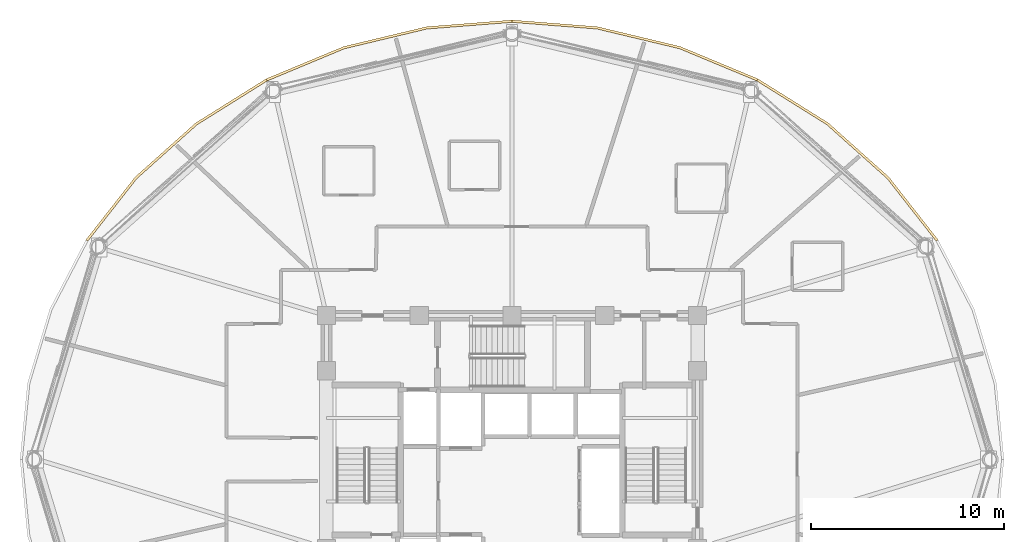
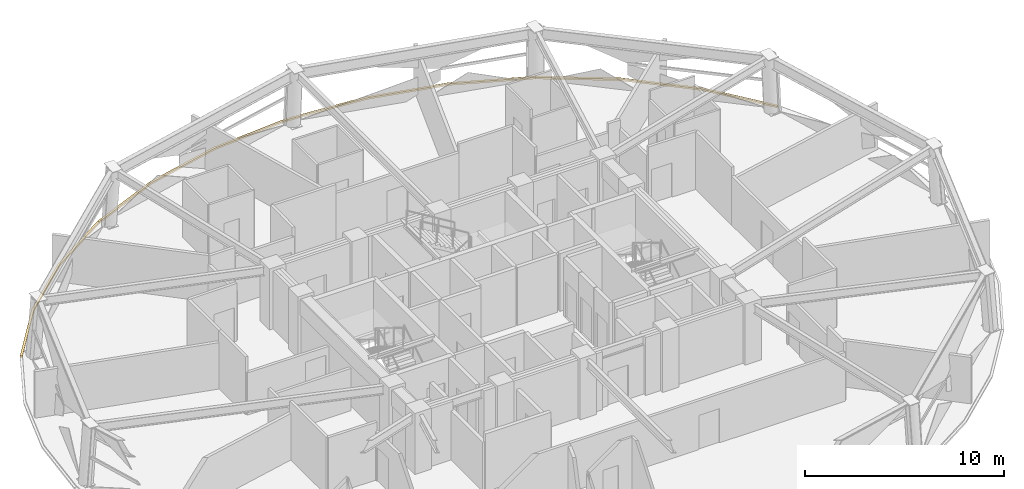
# One storey, part 12 of 12: 4 coverings.
"""IFC4 building model written with IfcOpenShell, lengths in metres."""

from ifc_helpers import new_model, si_unit, direction, frame, origin, place, context, subcontext, project, spatial, polyline, outline, extrude, material, layer, layer_set, type_object, element, save


model = new_model("IFC4")

# Units and contexts
model_context = context("Model", 3, precision=1e-05, world=origin(), true_north=direction((0.0, 1.0)))
body_context = subcontext(model_context, "Body", "Model", "MODEL_VIEW")
ifc_project = project(units=[si_unit("LENGTHUNIT", "METRE"), si_unit("AREAUNIT", "SQUARE_METRE"), si_unit("VOLUMEUNIT", "CUBIC_METRE"), si_unit("PLANEANGLEUNIT", "RADIAN"), si_unit("MASSUNIT", "GRAM", prefix="KILO")], contexts=[model_context])

# Site, building, storey
site_placement = place(None, origin())
site = spatial("IfcSite", under=ifc_project, at=site_placement, CompositionType="ELEMENT")
building_placement = place(site_placement, origin())
building = spatial("IfcBuilding", under=site, at=building_placement, Name="Vantalir Tower", CompositionType="ELEMENT")
storey_placement = place(building_placement, frame((0.0, 0.0, 160.949951171875)))
storey = spatial("IfcBuildingStorey", under=building, at=storey_placement, Name="L40", CompositionType="ELEMENT", Elevation=160.949951171875)

# Coverings
ifc_material = material(Name="Anodised champagne aluminium sill fascia", Category="aluminium")
ifc_layer = layer(ifc_material, 0.125)
ifc_layer_set = layer_set([ifc_layer], Name="Anodised champagne aluminium sill fascia")
covering_type = type_object("IfcCoveringType", Name="COV-SLAB-FASCIA-125", PredefinedType="CLADDING", material=ifc_layer_set)
covering_1_placement = place(storey_placement, frame((0.0, 0.0, -0.179931640625)))
element("IfcCovering", 1, at=covering_1_placement, inside=storey, type_object=covering_type, Name="L40 Perimeter Slab-Edge Sill Fascia 02", PredefinedType="CLADDING", context=body_context, shape_type="SweptSolid", body=[
    extrude(outline(polyline([(53.547119140625, 36.3720703125), (51.001953125, 39.6201171875), (47.864013671875, 42.423095703125), (44.22900390625, 44.697021484375), (44.1669921875, 44.589111328125), (47.783935546875, 42.326904296875), (50.906005859375, 39.5390625), (53.43896484375, 36.30908203125), (53.547119140625, 36.3720703125)])), origin(), (0.0, 0.0, 1.0), 0.10498046875),
])
covering_2_placement = place(storey_placement, frame((0.0, 0.0, -0.179931640625)))
element("IfcCovering", 2, at=covering_2_placement, inside=storey, type_object=covering_type, Name="L40 Perimeter Slab-Edge Sill Fascia 03", PredefinedType="CLADDING", context=body_context, shape_type="SweptSolid", body=[
    extrude(outline(polyline([(44.22900390625, 44.697021484375), (40.20703125, 46.3720703125), (35.9208984375, 47.39794921875), (31.5, 47.743896484375), (31.5, 47.618896484375), (35.89892578125, 47.27490234375), (40.1640625, 46.2548828125), (44.1669921875, 44.589111328125), (44.22900390625, 44.697021484375)])), origin(), (0.0, 0.0, 1.0), 0.10498046875),
])
covering_3_placement = place(storey_placement, frame((0.0, 0.0, -0.179931640625)))
element("IfcCovering", 3, at=covering_3_placement, inside=storey, type_object=covering_type, Name="L40 Perimeter Slab-Edge Sill Fascia 04", PredefinedType="CLADDING", context=body_context, shape_type="SweptSolid", body=[
    extrude(outline(polyline([(31.5, 47.743896484375), (27.0791015625, 47.39794921875), (22.79296875, 46.3720703125), (18.77099609375, 44.697021484375), (18.833984375, 44.589111328125), (22.8359375, 46.2548828125), (27.10107421875, 47.27490234375), (31.5, 47.618896484375), (31.5, 47.743896484375)])), origin(), (0.0, 0.0, 1.0), 0.10498046875),
])
covering_4_placement = place(storey_placement, frame((0.0, 0.0, -0.179931640625)))
element("IfcCovering", 4, at=covering_4_placement, inside=storey, type_object=covering_type, Name="L40 Perimeter Slab-Edge Sill Fascia 05", PredefinedType="CLADDING", context=body_context, shape_type="SweptSolid", body=[
    extrude(outline(polyline([(18.77099609375, 44.697021484375), (15.135986328125, 42.423095703125), (11.998046875, 39.6201171875), (9.452880859375, 36.3720703125), (9.56103515625, 36.30908203125), (12.093994140625, 39.5390625), (15.216064453125, 42.326904296875), (18.833984375, 44.589111328125), (18.77099609375, 44.697021484375)])), origin(), (0.0, 0.0, 1.0), 0.10498046875),
])

save(model, "model.ifc")
